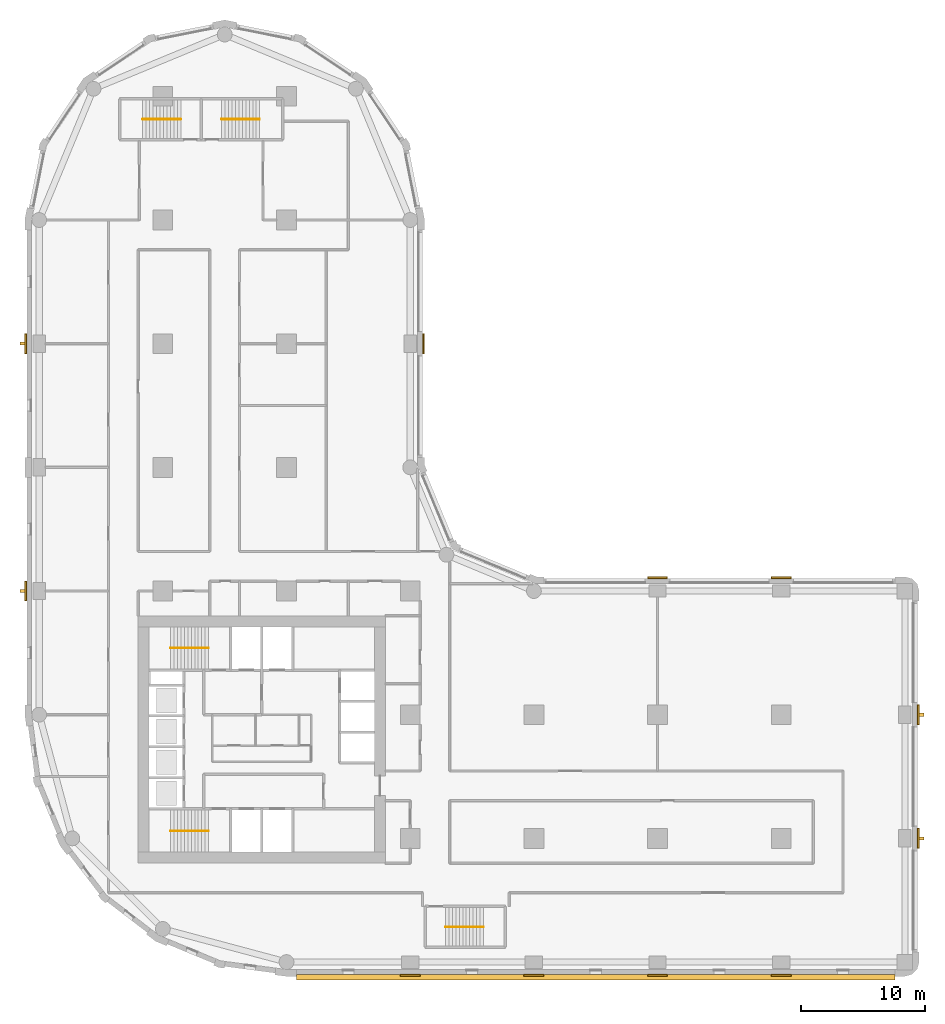
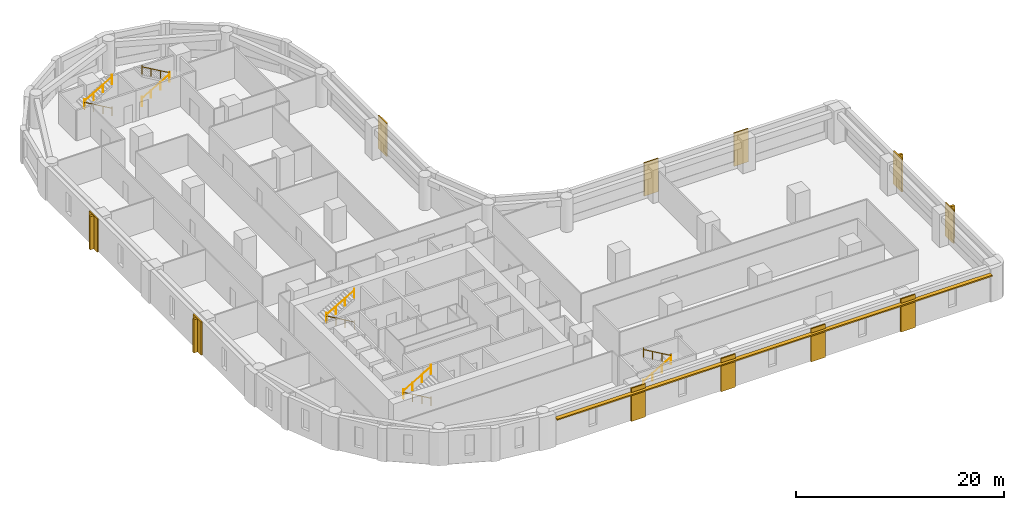
# One storey, part 9 of 10: 11 coverings, 10 railings, 5 shading devices.
"""IFC4 building model written with IfcOpenShell, lengths in metres."""

from ifc_helpers import new_model, si_unit, direction, frame, origin, origin_2d, place, context, subcontext, project, spatial, polyline, rectangle, circle, outline, extrude, material, layer, layer_set, type_object, element, save


model = new_model("IFC4")

# Units and contexts
model_context = context("Model", 3, precision=1e-05, world=origin(), true_north=direction((0.0, 1.0)))
body_context = subcontext(model_context, "Body", "Model", "MODEL_VIEW")
ifc_project = project(units=[si_unit("LENGTHUNIT", "METRE"), si_unit("AREAUNIT", "SQUARE_METRE"), si_unit("VOLUMEUNIT", "CUBIC_METRE"), si_unit("PLANEANGLEUNIT", "RADIAN"), si_unit("MASSUNIT", "GRAM", prefix="KILO")], contexts=[model_context])

# Site, building, storey
site_placement = place(None, origin())
site = spatial("IfcSite", under=ifc_project, at=site_placement, CompositionType="ELEMENT")
building_placement = place(site_placement, origin())
building = spatial("IfcBuilding", under=site, at=building_placement, Name="Qaws Garden Tower", CompositionType="ELEMENT")
storey_placement = place(building_placement, frame((0.0, 0.0, 66.60009765625)))
storey = spatial("IfcBuildingStorey", under=building, at=storey_placement, Name="L16", CompositionType="ELEMENT", Elevation=66.60009765625)

# Coverings
ifc_material_1 = material(Name="Clay facing brick masonry", Category="masonry")
ifc_layer_1 = layer(ifc_material_1, 0.14990234375)
ifc_layer_set_1 = layer_set([ifc_layer_1], Name="Clay facing brick masonry")
covering_type = type_object("IfcCoveringType", Name="Brick pilaster facing 150 x 1600", PredefinedType="CLADDING", material=ifc_layer_set_1)
placement = place(storey_placement, origin())
element("IfcCovering", 1, at=placement, inside=storey, type_object=covering_type, Name="E-L16-pier-01", PredefinedType="CLADDING", context=body_context, shape_type="SweptSolid", body=[
    extrude(outline(polyline([(29.199951171875, -1.0), (30.800048828125, -1.0), (30.800048828125, -1.14990234375), (29.199951171875, -1.14990234375), (29.199951171875, -1.0)])), origin(), (0.0, 0.0, 1.0), 3.89990234375),
])
element("IfcCovering", 2, at=placement, inside=storey, type_object=covering_type, Name="E-L16-pier-02", PredefinedType="CLADDING", context=body_context, shape_type="SweptSolid", body=[
    extrude(outline(polyline([(39.199951171875, -1.0), (40.800048828125, -1.0), (40.800048828125, -1.14990234375), (39.199951171875, -1.14990234375), (39.199951171875, -1.0)])), origin(), (0.0, 0.0, 1.0), 3.89990234375),
])
element("IfcCovering", 3, at=placement, inside=storey, type_object=covering_type, Name="E-L16-pier-03", PredefinedType="CLADDING", context=body_context, shape_type="SweptSolid", body=[
    extrude(outline(polyline([(49.199951171875, -1.0), (50.800048828125, -1.0), (50.800048828125, -1.14990234375), (49.199951171875, -1.14990234375), (49.199951171875, -1.0)])), origin(), (0.0, 0.0, 1.0), 3.89990234375),
])
element("IfcCovering", 4, at=placement, inside=storey, type_object=covering_type, Name="E-L16-pier-04", PredefinedType="CLADDING", context=body_context, shape_type="SweptSolid", body=[
    extrude(outline(polyline([(59.199951171875, -1.0), (60.800048828125, -1.0), (60.800048828125, -1.14990234375), (59.199951171875, -1.14990234375), (59.199951171875, -1.0)])), origin(), (0.0, 0.0, 1.0), 3.89990234375),
])
element("IfcCovering", 5, at=placement, inside=storey, type_object=covering_type, Name="E-L16-pier-06", PredefinedType="CLADDING", context=body_context, shape_type="SweptSolid", body=[
    extrude(outline(polyline([(71.0, 9.199951171875), (71.0, 10.800048828125), (71.14990234375, 10.800048828125), (71.14990234375, 9.199951171875), (71.0, 9.199951171875)])), origin(), (0.0, 0.0, 1.0), 3.89990234375),
])
element("IfcCovering", 6, at=placement, inside=storey, type_object=covering_type, Name="E-L16-pier-07", PredefinedType="CLADDING", context=body_context, shape_type="SweptSolid", body=[
    extrude(outline(polyline([(71.0, 19.199951171875), (71.0, 20.800048828125), (71.14990234375, 20.800048828125), (71.14990234375, 19.199951171875), (71.0, 19.199951171875)])), origin(), (0.0, 0.0, 1.0), 3.89990234375),
])
element("IfcCovering", 7, at=placement, inside=storey, type_object=covering_type, Name="E-L16-pier-09", PredefinedType="CLADDING", context=body_context, shape_type="SweptSolid", body=[
    extrude(outline(polyline([(60.800048828125, 31.0), (59.199951171875, 31.0), (59.199951171875, 31.14990234375), (60.800048828125, 31.14990234375), (60.800048828125, 31.0)])), origin(), (0.0, 0.0, 1.0), 3.89990234375),
])
element("IfcCovering", 8, at=placement, inside=storey, type_object=covering_type, Name="E-L16-pier-10", PredefinedType="CLADDING", context=body_context, shape_type="SweptSolid", body=[
    extrude(outline(polyline([(50.800048828125, 31.0), (49.199951171875, 31.0), (49.199951171875, 31.14990234375), (50.800048828125, 31.14990234375), (50.800048828125, 31.0)])), origin(), (0.0, 0.0, 1.0), 3.89990234375),
])
element("IfcCovering", 9, at=placement, inside=storey, type_object=covering_type, Name="E-L16-pier-14", PredefinedType="CLADDING", context=body_context, shape_type="SweptSolid", body=[
    extrude(outline(polyline([(31.0, 49.199951171875), (31.0, 50.800048828125), (31.14990234375, 50.800048828125), (31.14990234375, 49.199951171875), (31.0, 49.199951171875)])), origin(), (0.0, 0.0, 1.0), 3.89990234375),
])
element("IfcCovering", 10, at=placement, inside=storey, type_object=covering_type, Name="E-L16-pier-24", PredefinedType="CLADDING", context=body_context, shape_type="SweptSolid", body=[
    extrude(outline(polyline([(-1.0, 50.800048828125), (-1.0, 49.199951171875), (-1.14990234375, 49.199951171875), (-1.14990234375, 50.800048828125), (-1.0, 50.800048828125)])), origin(), (0.0, 0.0, 1.0), 3.89990234375),
])
element("IfcCovering", 11, at=placement, inside=storey, type_object=covering_type, Name="E-L16-pier-26", PredefinedType="CLADDING", context=body_context, shape_type="SweptSolid", body=[
    extrude(outline(polyline([(-1.0, 30.800048828125), (-1.0, 29.199951171875), (-1.14990234375, 29.199951171875), (-1.14990234375, 30.800048828125), (-1.0, 30.800048828125)])), origin(), (0.0, 0.0, 1.0), 3.89990234375),
])

# Shading devices
ifc_material_2 = material(Name="Clay facing brick masonry", Category="masonry")
ifc_layer_2 = layer(ifc_material_2, 0.14990234375)
ifc_layer_set_2 = layer_set([ifc_layer_2], Name="Clay facing brick masonry")
shading_device_type_1 = type_object("IfcShadingDeviceType", Name="Brick sunshade band 450 x 150", PredefinedType="JALOUSIE", material=ifc_layer_set_2)
shading_device_placement = place(storey_placement, frame((0.0, 0.0, 3.25)))
element("IfcShadingDevice", 12, at=shading_device_placement, inside=storey, type_object=shading_device_type_1, Name="SUNSHADE 00", PredefinedType="JALOUSIE", context=body_context, shape_type="SweptSolid", body=[
    extrude(outline(polyline([(20.800048828125, -1.0), (20.800048828125, -1.449951171875), (69.199951171875, -1.449951171875), (69.199951171875, -1.0), (60.800048828125, -1.0), (60.800048828125, -1.14990234375), (59.199951171875, -1.14990234375), (59.199951171875, -1.0), (50.800048828125, -1.0), (50.800048828125, -1.14990234375), (49.199951171875, -1.14990234375), (49.199951171875, -1.0), (40.800048828125, -1.0), (40.800048828125, -1.14990234375), (39.199951171875, -1.14990234375), (39.199951171875, -1.0), (30.800048828125, -1.0), (30.800048828125, -1.14990234375), (29.199951171875, -1.14990234375), (29.199951171875, -1.0), (20.800048828125, -1.0)])), origin(), (0.0, 0.0, 1.0), 0.14990234375),
])
ifc_material_3 = material(Name="Clay facing brick masonry", Category="masonry")
ifc_layer_3 = layer(ifc_material_3, 0.25)
ifc_layer_set_3 = layer_set([ifc_layer_3], Name="Clay facing brick masonry")
shading_device_type_2 = type_object("IfcShadingDeviceType", Name="Brick-faced fin 250 x 400", PredefinedType="USERDEFINED", material=ifc_layer_set_3)
for number, where, z_axis, x_axis, name in (
    (13, (71.35009765625, 10.0, 0.0), (0.0, 0.0, 1.0), (0.0, 1.0, 0.0), "FIN 06"),
    (14, (71.35009765625, 20.0, 0.0), (0.0, 0.0, 1.0), (0.0, 1.0, 0.0), "FIN 07"),
    (15, (-1.35009765625, 50.0, 0.0), (0.0, 0.0, 1.0), (0.0, -1.0, 0.0), "FIN 24"),
    (16, (-1.35009765625, 30.0, 0.0), (0.0, 0.0, 1.0), (0.0, -1.0, 0.0), "FIN 26"),
):
    element("IfcShadingDevice", number, at=place(storey_placement, frame(where, z_axis=z_axis, x_axis=x_axis)), inside=storey, type_object=shading_device_type_2, Name=name, ObjectType="FIN", PredefinedType="USERDEFINED", context=body_context, shape_type="SweptSolid", body=[
        extrude(rectangle(XDim=0.25, YDim=0.39990234375, at=origin_2d()), origin(), (0.0, 0.0, 1.0), 3.89990234375),
    ])

# Railings
ifc_material_4 = material(Name="Steel S355", Category="steel")
railing_type = type_object("IfcRailingType", Name="Stair handrail 900", PredefinedType="HANDRAIL", material=ifc_material_4)
railing_1_placement = place(storey_placement, frame((13.699951171875, 10.60009765625, 0.162353515625)))
element("IfcRailing", 17, at=railing_1_placement, inside=storey, type_object=railing_type, Name="Stair 1 handrail", PredefinedType="HANDRAIL", context=body_context, shape_type="SweptSolid", body=[
    extrude(circle(Radius=0.02392578125, at=origin_2d()), frame((0.0, 0.0, 0.8759765625), z_axis=(-0.864873446163, 0.0, 0.501989962173), x_axis=(0.0, -1.0, 0.0)), (0.0, 0.0, 1.0), 3.56103515625),
    extrude(circle(Radius=0.02099609375, at=origin_2d()), origin(), (0.0, 0.0, 1.0), 1.06201171875),
    extrude(circle(Radius=0.02099609375, at=origin_2d()), frame((-1.026611328125, 0.0, 0.595947265625)), (0.0, 0.0, 1.0), 0.851806640625),
    extrude(circle(Radius=0.02099609375, at=origin_2d()), frame((-2.05322265625, 0.0, 1.191650390625)), (0.0, 0.0, 1.0), 0.851806640625),
    extrude(circle(Radius=0.02099609375, at=origin_2d()), frame((-3.079833984375, 0.0, 1.78759765625)), (0.0, 0.0, 1.0), 1.06201171875),
])
railing_2_placement = place(storey_placement, frame((10.6201171875, 10.60009765625, 2.1123046875)))
element("IfcRailing", 18, at=railing_2_placement, inside=storey, type_object=railing_type, Name="Stair 1 handrail", PredefinedType="HANDRAIL", context=body_context, shape_type="SweptSolid", body=[
    extrude(circle(Radius=0.02392578125, at=origin_2d()), frame((0.0, 0.0, 0.8759765625), z_axis=(0.864873446163, 0.0, 0.501989962173), x_axis=(0.0, 1.0, 0.0)), (0.0, 0.0, 1.0), 3.56103515625),
    extrude(circle(Radius=0.02099609375, at=origin_2d()), origin(), (0.0, 0.0, 1.0), 1.06201171875),
    extrude(circle(Radius=0.02099609375, at=origin_2d()), frame((1.026611328125, 0.0, 0.595947265625)), (0.0, 0.0, 1.0), 0.851806640625),
    extrude(circle(Radius=0.02099609375, at=origin_2d()), frame((2.05322265625, 0.0, 1.191650390625)), (0.0, 0.0, 1.0), 0.851806640625),
    extrude(circle(Radius=0.02099609375, at=origin_2d()), frame((3.079833984375, 0.0, 1.78759765625)), (0.0, 0.0, 1.0), 1.06201171875),
])
railing_3_placement = place(storey_placement, frame((13.699951171875, 25.39990234375, 0.162353515625)))
element("IfcRailing", 19, at=railing_3_placement, inside=storey, type_object=railing_type, Name="Stair 4 handrail", PredefinedType="HANDRAIL", context=body_context, shape_type="SweptSolid", body=[
    extrude(circle(Radius=0.02392578125, at=origin_2d()), frame((0.0, 0.0, 0.8759765625), z_axis=(-0.864873446163, 0.0, 0.501989962173), x_axis=(0.0, -1.0, 0.0)), (0.0, 0.0, 1.0), 3.56103515625),
    extrude(circle(Radius=0.02099609375, at=origin_2d()), origin(), (0.0, 0.0, 1.0), 1.06201171875),
    extrude(circle(Radius=0.02099609375, at=origin_2d()), frame((-1.026611328125, 0.0, 0.595947265625)), (0.0, 0.0, 1.0), 0.851806640625),
    extrude(circle(Radius=0.02099609375, at=origin_2d()), frame((-2.05322265625, 0.0, 1.191650390625)), (0.0, 0.0, 1.0), 0.851806640625),
    extrude(circle(Radius=0.02099609375, at=origin_2d()), frame((-3.079833984375, 0.0, 1.78759765625)), (0.0, 0.0, 1.0), 1.06201171875),
])
for number, where, name in (
    (20, (10.6201171875, 25.39990234375, 2.1123046875), "Stair 4 handrail"),
    (21, (32.85009765625, 2.85009765625, 0.162353515625), "Stair 5 handrail"),
):
    element("IfcRailing", number, at=place(storey_placement, frame(where)), inside=storey, type_object=railing_type, Name=name, PredefinedType="HANDRAIL", context=body_context, shape_type="SweptSolid", body=[
        extrude(circle(Radius=0.02392578125, at=origin_2d()), frame((0.0, 0.0, 0.8759765625), z_axis=(0.864873446163, 0.0, 0.501989962173), x_axis=(0.0, 1.0, 0.0)), (0.0, 0.0, 1.0), 3.56103515625),
        extrude(circle(Radius=0.02099609375, at=origin_2d()), origin(), (0.0, 0.0, 1.0), 1.06201171875),
        extrude(circle(Radius=0.02099609375, at=origin_2d()), frame((1.026611328125, 0.0, 0.595947265625)), (0.0, 0.0, 1.0), 0.851806640625),
        extrude(circle(Radius=0.02099609375, at=origin_2d()), frame((2.05322265625, 0.0, 1.191650390625)), (0.0, 0.0, 1.0), 0.851806640625),
        extrude(circle(Radius=0.02099609375, at=origin_2d()), frame((3.079833984375, 0.0, 1.78759765625)), (0.0, 0.0, 1.0), 1.06201171875),
    ])
for number, where, name in (
    (22, (35.929931640625, 2.85009765625, 2.1123046875), "Stair 5 handrail"),
    (23, (11.449951171875, 68.14990234375, 0.162353515625), "Stair 6 handrail"),
):
    element("IfcRailing", number, at=place(storey_placement, frame(where)), inside=storey, type_object=railing_type, Name=name, PredefinedType="HANDRAIL", context=body_context, shape_type="SweptSolid", body=[
        extrude(circle(Radius=0.02392578125, at=origin_2d()), frame((0.0, 0.0, 0.8759765625), z_axis=(-0.864873446163, 0.0, 0.501989962173), x_axis=(0.0, -1.0, 0.0)), (0.0, 0.0, 1.0), 3.56103515625),
        extrude(circle(Radius=0.02099609375, at=origin_2d()), origin(), (0.0, 0.0, 1.0), 1.06201171875),
        extrude(circle(Radius=0.02099609375, at=origin_2d()), frame((-1.026611328125, 0.0, 0.595947265625)), (0.0, 0.0, 1.0), 0.851806640625),
        extrude(circle(Radius=0.02099609375, at=origin_2d()), frame((-2.05322265625, 0.0, 1.191650390625)), (0.0, 0.0, 1.0), 0.851806640625),
        extrude(circle(Radius=0.02099609375, at=origin_2d()), frame((-3.079833984375, 0.0, 1.78759765625)), (0.0, 0.0, 1.0), 1.06201171875),
    ])
railing_4_placement = place(storey_placement, frame((8.3701171875, 68.14990234375, 2.1123046875)))
element("IfcRailing", 24, at=railing_4_placement, inside=storey, type_object=railing_type, Name="Stair 6 handrail", PredefinedType="HANDRAIL", context=body_context, shape_type="SweptSolid", body=[
    extrude(circle(Radius=0.02392578125, at=origin_2d()), frame((0.0, 0.0, 0.8759765625), z_axis=(0.864873446163, 0.0, 0.501989962173), x_axis=(0.0, 1.0, 0.0)), (0.0, 0.0, 1.0), 3.56103515625),
    extrude(circle(Radius=0.02099609375, at=origin_2d()), origin(), (0.0, 0.0, 1.0), 1.06201171875),
    extrude(circle(Radius=0.02099609375, at=origin_2d()), frame((1.026611328125, 0.0, 0.595947265625)), (0.0, 0.0, 1.0), 0.851806640625),
    extrude(circle(Radius=0.02099609375, at=origin_2d()), frame((2.05322265625, 0.0, 1.191650390625)), (0.0, 0.0, 1.0), 0.851806640625),
    extrude(circle(Radius=0.02099609375, at=origin_2d()), frame((3.079833984375, 0.0, 1.78759765625)), (0.0, 0.0, 1.0), 1.06201171875),
])
railing_5_placement = place(storey_placement, frame((14.75, 68.14990234375, 0.162353515625)))
element("IfcRailing", 25, at=railing_5_placement, inside=storey, type_object=railing_type, Name="Stair 7 handrail", PredefinedType="HANDRAIL", context=body_context, shape_type="SweptSolid", body=[
    extrude(circle(Radius=0.02392578125, at=origin_2d()), frame((0.0, 0.0, 0.8759765625), z_axis=(0.864890721111, 0.0, 0.501960198159), x_axis=(0.0, 1.0, 0.0)), (0.0, 0.0, 1.0), 3.561279296875),
    extrude(circle(Radius=0.02099609375, at=origin_2d()), origin(), (0.0, 0.0, 1.0), 1.06201171875),
    extrude(circle(Radius=0.02099609375, at=origin_2d()), frame((1.026611328125, 0.0, 0.595947265625)), (0.0, 0.0, 1.0), 0.851806640625),
    extrude(circle(Radius=0.02099609375, at=origin_2d()), frame((2.053466796875, 0.0, 1.191650390625)), (0.0, 0.0, 1.0), 0.851806640625),
    extrude(circle(Radius=0.02099609375, at=origin_2d()), frame((3.080078125, 0.0, 1.78759765625)), (0.0, 0.0, 1.0), 1.06201171875),
])
railing_6_placement = place(storey_placement, frame((17.830078125, 68.14990234375, 2.1123046875)))
element("IfcRailing", 26, at=railing_6_placement, inside=storey, type_object=railing_type, Name="Stair 7 handrail", PredefinedType="HANDRAIL", context=body_context, shape_type="SweptSolid", body=[
    extrude(circle(Radius=0.02392578125, at=origin_2d()), frame((0.0, 0.0, 0.8759765625), z_axis=(-0.864890721111, 0.0, 0.501960198159), x_axis=(0.0, -1.0, 0.0)), (0.0, 0.0, 1.0), 3.561279296875),
    extrude(circle(Radius=0.02099609375, at=origin_2d()), origin(), (0.0, 0.0, 1.0), 1.06201171875),
    extrude(circle(Radius=0.02099609375, at=origin_2d()), frame((-1.026611328125, 0.0, 0.595947265625)), (0.0, 0.0, 1.0), 0.851806640625),
    extrude(circle(Radius=0.02099609375, at=origin_2d()), frame((-2.053466796875, 0.0, 1.191650390625)), (0.0, 0.0, 1.0), 0.851806640625),
    extrude(circle(Radius=0.02099609375, at=origin_2d()), frame((-3.080078125, 0.0, 1.78759765625)), (0.0, 0.0, 1.0), 1.06201171875),
])

save(model, "model.ifc")
